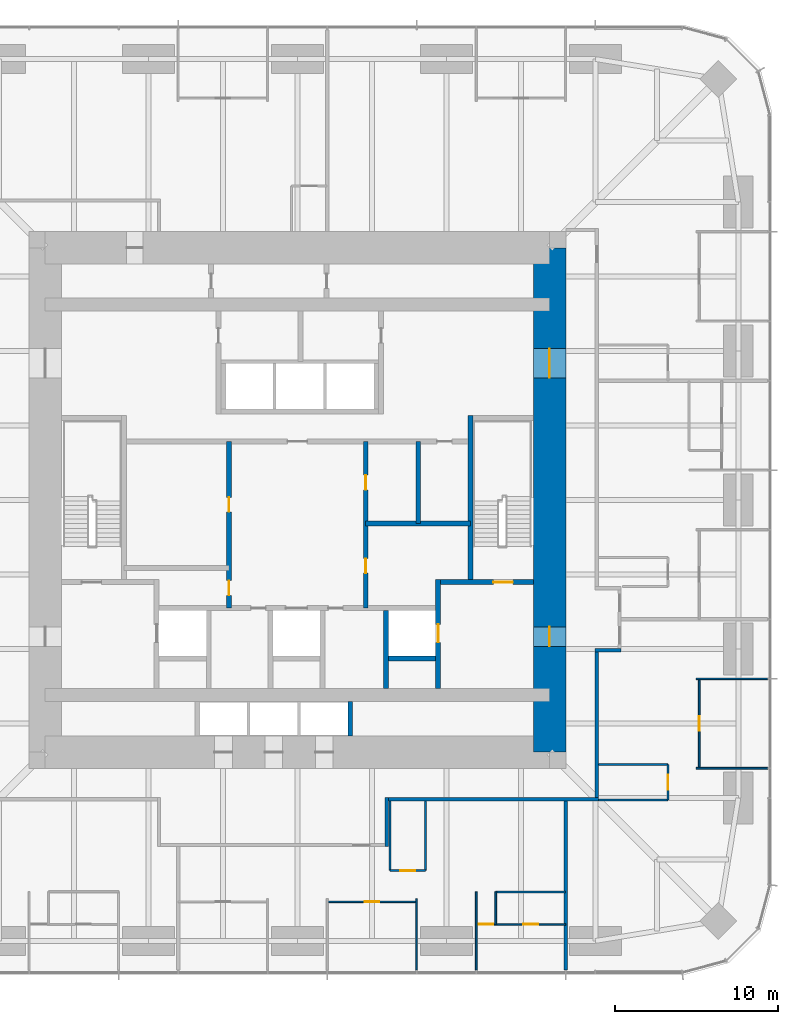
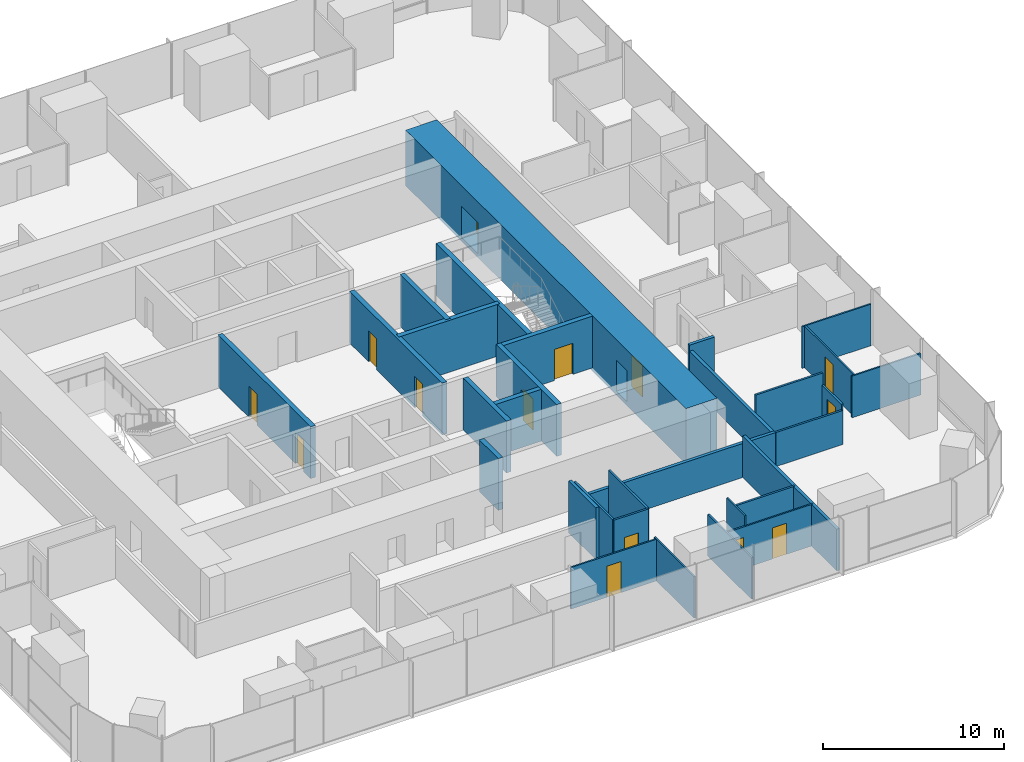
# One storey, part 10 of 13: 31 walls, 14 doors, 14 openings.
"""IFC4 building model written with IfcOpenShell, lengths in metres."""

import ifcopenshell
import ifcopenshell.guid

model = None  # the IFC model being written
_history = None  # IfcOwnerHistory: only IFC2X3 demands one
_inside = {}  # id of a spatial element -> (the spatial element, [elements in it])
_under = {}  # id of a project, library or spatial element -> (it, [spatial elements below it])
_declared = {}  # id of a project -> (the project, [libraries it declares])
_typed = {}  # id of a type object -> (the type object, [elements of that type])
_made_of = {}  # id of a material, layer set ... -> (it, [elements and type objects made of it])


def new_model(schema):
    """Start an empty IFC model of exactly this schema.

    Asked for "IFC4X3", IfcOpenShell would pick the latest addendum, in which some entities
    have other attributes; the version numbers below select the first issue.
    IFC2X3 requires an IfcOwnerHistory on every rooted entity: one is made here for all.
    """
    global model, _history
    if schema == "IFC4X3":
        model = ifcopenshell.file(schema_version=(4, 3, 0, 0))
    else:
        model = ifcopenshell.file(schema=schema)
    _inside.clear()
    _under.clear()
    _declared.clear()
    _typed.clear()
    _made_of.clear()
    _history = None
    if model.schema == "IFC2X3":
        org = make("IfcOrganization", Name="unknown")
        user = make(
            "IfcPersonAndOrganization",
            ThePerson=make("IfcPerson", FamilyName="unknown"),
            TheOrganization=org,
        )
        app = make(
            "IfcApplication",
            ApplicationDeveloper=org,
            Version="unknown",
            ApplicationFullName="unknown",
            ApplicationIdentifier="unknown",
        )
        _history = make(
            "IfcOwnerHistory",
            OwningUser=user,
            OwningApplication=app,
            ChangeAction="ADDED",
            CreationDate=0,
        )
    return model


def make(cls, **values):
    """One entity of the class cls with the attributes given. An attribute that is None is left unset."""
    return model.create_entity(
        cls, **{name: value for name, value in values.items() if value is not None}
    )


def rooted(cls, **values):
    """An entity with a GlobalId (a new one), such as an element, a storey or a relation."""
    return make(cls, GlobalId=ifcopenshell.guid.new(), OwnerHistory=_history, **values)


def si_unit(unit_type, name, prefix=None):
    """IfcSIUnit, for example si_unit("LENGTHUNIT", "METRE", prefix="MILLI")."""
    return make("IfcSIUnit", UnitType=unit_type, Prefix=prefix, Name=name)


def assignment(units):
    """IfcUnitAssignment: the units of a project."""
    return None if units is None else make("IfcUnitAssignment", Units=units)


def point(xyz):
    """IfcCartesianPoint."""
    return None if xyz is None else make("IfcCartesianPoint", Coordinates=xyz)


def direction(xyz):
    """IfcDirection."""
    return None if xyz is None else make("IfcDirection", DirectionRatios=xyz)


def frame(location, z_axis=None, x_axis=None):
    """IfcAxis2Placement3D, a coordinate frame: its origin and axes. An axis left out is left unset."""
    return make(
        "IfcAxis2Placement3D",
        Location=point(location),
        Axis=direction(z_axis),
        RefDirection=direction(x_axis),
    )


def frame_2d(location, x_axis=None):
    """IfcAxis2Placement2D, a coordinate frame in the plane: its origin and x axis."""
    return make(
        "IfcAxis2Placement2D", Location=point(location), RefDirection=direction(x_axis)
    )


def origin():
    """The frame at (0, 0, 0) with its axes left unset."""
    return frame((0.0, 0.0, 0.0))


def place(relative_to, where):
    """IfcLocalPlacement: puts the frame where relative to a parent placement (None: the world)."""
    return make(
        "IfcLocalPlacement", PlacementRelTo=relative_to, RelativePlacement=where
    )


def context(
    kind, dimensions, precision=None, world=None, true_north=None, identifier=None
):
    """IfcGeometricRepresentationContext, for example the 3D "Model" context."""
    return make(
        "IfcGeometricRepresentationContext",
        ContextIdentifier=identifier,
        ContextType=kind,
        CoordinateSpaceDimension=dimensions,
        Precision=precision,
        WorldCoordinateSystem=world,
        TrueNorth=true_north,
    )


def subcontext(parent, identifier, kind, view, scale=None):
    """IfcGeometricRepresentationSubContext, for example "Body" below "Model"."""
    return make(
        "IfcGeometricRepresentationSubContext",
        ContextIdentifier=identifier,
        ContextType=kind,
        ParentContext=parent,
        TargetScale=scale,
        TargetView=view,
    )


def project(units=None, contexts=None):
    """IfcProject with its units and contexts."""
    return rooted(
        "IfcProject",
        Name="project",
        RepresentationContexts=contexts,
        UnitsInContext=assignment(units),
    )


def spatial(cls, under=None, at=None, **own):
    """A site, building, storey or space (cls), placed at a placement, below another one or the project."""
    s = rooted(cls, ObjectPlacement=at, **own)
    if under is not None:
        _under.setdefault(under.id(), (under, []))[1].append(s)
    return s


def profile(cls, at=None, kind="AREA", **sizes):
    """A parametric profile (cls). Its sizes go by their IFC names, for example OverallWidth=200.0."""
    return make(cls, ProfileType=kind, Position=at, **sizes)


def rectangle(**sizes):
    """IfcRectangleProfileDef."""
    return profile("IfcRectangleProfileDef", **sizes)


def extrude(swept, where, along, depth):
    """IfcExtrudedAreaSolid: the profile swept, set in the frame where, extruded along a direction by depth."""
    return make(
        "IfcExtrudedAreaSolid",
        SweptArea=swept,
        Position=where,
        ExtrudedDirection=direction(along),
        Depth=depth,
    )


def shape(context_of_items, identifier, shape_type, items):
    """IfcShapeRepresentation: the items that make up one representation, for example the "Body"."""
    return make(
        "IfcShapeRepresentation",
        ContextOfItems=context_of_items,
        RepresentationIdentifier=identifier,
        RepresentationType=shape_type,
        Items=items,
    )


def material(Name=None, Category=None):
    """IfcMaterial."""
    return make("IfcMaterial", Name=Name, Category=Category)


def layer(
    of_material, thickness, ventilated=None, Name=None, Category=None, Priority=None
):
    """IfcMaterialLayer: one layer of a wall or slab, of a material (None: an air gap)."""
    return make(
        "IfcMaterialLayer",
        Material=of_material,
        LayerThickness=thickness,
        IsVentilated=ventilated,
        Name=Name,
        Category=Category,
        Priority=Priority,
    )


def layer_set(layers, Name=None):
    """IfcMaterialLayerSet."""
    return make("IfcMaterialLayerSet", MaterialLayers=layers, LayerSetName=Name)


def made_of(thing, what):
    """Note that an element or type object is made of a material, layer set ...; save() writes the relation."""
    if what is not None:
        _made_of.setdefault(what.id(), (what, []))[1].append(thing)
    return thing


def type_object(cls, material=None, **own):
    """A type object (cls), such as IfcWallType, which elements share."""
    return made_of(rooted(cls, **own), material)


def element(
    cls,
    number,
    at=None,
    inside=None,
    cuts=None,
    type_object=None,
    material=None,
    context=None,
    identifier="Body",
    shape_type=None,
    held_by="IfcProductDefinitionShape",
    body=None,
    shapes=None,
    **own,
):
    """One element of the class cls, such as IfcWall. Its Tag is "e" and its number.

    at: its placement. inside: the storey or other place that contains it. cuts: it is an
    opening in that element (IfcRelVoidsElement). A single representation is given by context,
    identifier, shape_type and body (its items); several are given by shapes. held_by: the class
    of the entity that holds the representations. save() writes the other relations.
    """
    e = rooted(cls, Tag="e%d" % number, ObjectPlacement=at, **own)
    if body is not None:
        shapes = [shape(context, identifier, shape_type, body)]
    if shapes is not None:
        e.Representation = make(held_by, Representations=shapes)
    if inside is not None:
        _inside.setdefault(inside.id(), (inside, []))[1].append(e)
    if cuts is not None:
        rooted(
            "IfcRelVoidsElement", RelatingBuildingElement=cuts, RelatedOpeningElement=e
        )
    if type_object is not None:
        _typed.setdefault(type_object.id(), (type_object, []))[1].append(e)
    return made_of(e, material)


def fill(opening, filler):
    """IfcRelFillsElement: the door or window that sits in an opening."""
    return rooted(
        "IfcRelFillsElement",
        RelatingOpeningElement=opening,
        RelatedBuildingElement=filler,
    )


def aggregate(whole, parts):
    """IfcRelAggregates: a whole, such as a stair, and the parts it consists of."""
    return rooted("IfcRelAggregates", RelatingObject=whole, RelatedObjects=parts)


def save(model, path):
    """Write the relations noted so far, then the file.

    IfcRelAggregates (storeys below a building ...), IfcRelContainedInSpatialStructure (elements
    in a storey), IfcRelDefinesByType, IfcRelAssociatesMaterial and IfcRelDeclares: one each for
    every whole, place, type object, material and project.
    """
    for whole, parts in _under.values():
        aggregate(whole, parts)
    for where, things in _inside.values():
        rooted(
            "IfcRelContainedInSpatialStructure",
            RelatedElements=things,
            RelatingStructure=where,
        )
    for kind, things in _typed.values():
        rooted("IfcRelDefinesByType", RelatedObjects=things, RelatingType=kind)
    for what, things in _made_of.values():
        rooted("IfcRelAssociatesMaterial", RelatedObjects=things, RelatingMaterial=what)
    for by, libraries in _declared.values():
        rooted("IfcRelDeclares", RelatingContext=by, RelatedDefinitions=libraries)
    model.write(path)


model = new_model("IFC4")

# Units and contexts
model_context = context("Model", 3, precision=1e-05, world=origin(), true_north=direction((0.0, 1.0)))
body_context = subcontext(model_context, "Body", "Model", "MODEL_VIEW")
ifc_project = project(units=[si_unit("LENGTHUNIT", "METRE"), si_unit("AREAUNIT", "SQUARE_METRE"), si_unit("VOLUMEUNIT", "CUBIC_METRE"), si_unit("PLANEANGLEUNIT", "RADIAN"), si_unit("MASSUNIT", "GRAM", prefix="KILO")], contexts=[model_context])

# Site, building, storey
site_placement = place(None, origin())
site = spatial("IfcSite", under=ifc_project, at=site_placement, CompositionType="ELEMENT")
building_placement = place(site_placement, origin())
building = spatial("IfcBuilding", under=site, at=building_placement, Name="Khuree Lantern Residences", CompositionType="ELEMENT")
storey_placement = place(building_placement, frame((0.0, 0.0, 122.25)))
storey = spatial("IfcBuildingStorey", under=building, at=storey_placement, Name="L30", CompositionType="ELEMENT", Elevation=122.25)

# Wall
ifc_material_1 = material(Name="Moisture-resistant gypsum board on steel studs", Category="steel")
ifc_layer_1 = layer(ifc_material_1, 0.125)
ifc_layer_set_1 = layer_set([ifc_layer_1], Name="BATHROOM WALL BTW125")
wall_type_1 = type_object("IfcWallType", Name="BATHROOM WALL BTW125", PredefinedType="PARTITIONING", material=ifc_layer_set_1)
wall_1_placement = place(storey_placement, frame((12.19189453125, -24.079833984375, 0.0), z_axis=(0.0, 0.0, 1.0), x_axis=(1.0, 0.0, 0.0)))
element("IfcWall", 1, at=wall_1_placement, inside=storey, type_object=wall_type_1, Name="L30 BATHROOM WALL 06", PredefinedType="PARTITIONING", context=body_context, shape_type="SweptSolid", body=[
    extrude(rectangle(XDim=4.296142578125, YDim=0.125, at=frame_2d((2.14794921875, 0.0))), origin(), (0.0, 0.0, 1.0), 2.81005859375),
])

# Wall, opening, door
wall_2_placement = place(storey_placement, frame((5.68359375, -22.77978515625, 0.0), z_axis=(0.0, 0.0, 1.0), x_axis=(1.0, 0.0, 0.0)))
wall_2 = element("IfcWall", 2, at=wall_2_placement, inside=storey, type_object=wall_type_1, Name="L30 BATHROOM WALL 06", PredefinedType="PARTITIONING", context=body_context, shape_type="SweptSolid", body=[
    extrude(rectangle(XDim=2.199951171875, YDim=0.125, at=frame_2d((1.10009765625, 0.0))), origin(), (0.0, 0.0, 1.0), 3.5),
])
opening_1_placement = place(wall_2_placement, frame((0.64990234375, 0.0, 0.0)))
opening_1 = element("IfcOpeningElement", 3, at=opening_1_placement, cuts=wall_2, Name="Opening 30-052", PredefinedType="OPENING", context=body_context, shape_type="SweptSolid", body=[
    extrude(rectangle(XDim=0.89990234375, YDim=2.10009765625, at=frame_2d((0.449951171875, 1.050048828125))), frame((0.0, 0.072509765625, 0.0), z_axis=(0.0, -1.0, 0.0), x_axis=(1.0, 0.0, 0.0)), (0.0, 0.0, 1.0), 0.14501953125),
])
ifc_material_2 = material(Name="Timber door leaf in hardwood frame", Category="wood")
door_type_1 = type_object("IfcDoorType", Name="BATHROOM DOOR 900X2100", OperationType="SINGLE_SWING_LEFT", PredefinedType="DOOR", material=ifc_material_2)
door_1_placement = place(opening_1_placement, origin())
door_1 = element("IfcDoor", 4, at=door_1_placement, inside=storey, type_object=door_type_1, Name="Bathroom door 30-052", OperationType="SINGLE_SWING_LEFT", OverallHeight=2.10009765625, OverallWidth=0.89990234375, PredefinedType="DOOR", context=body_context, shape_type="SweptSolid", body=[
    extrude(rectangle(XDim=0.89990234375, YDim=2.10009765625, at=frame_2d((0.449951171875, 1.050048828125))), frame((0.0, 0.02490234375, 0.0), z_axis=(0.0, -1.0, 0.0), x_axis=(1.0, 0.0, 0.0)), (0.0, 0.0, 1.0), 0.050048828125),
])
fill(opening_1, door_1)

# Walls
for number, where, z_axis, x_axis, name in (
    (5, (5.68359375, -18.5, 0.0), (0.0, 0.0, 1.0), (0.0, -1.0, 0.0), "L30 BATHROOM WALL 06"),
    (6, (7.883544921875, -18.5, 0.0), (0.0, 0.0, 1.0), (0.0, -1.0, 0.0), "L30 BATHROOM WALL 06"),
):
    element("IfcWall", number, at=place(storey_placement, frame(where, z_axis=z_axis, x_axis=x_axis)), inside=storey, type_object=wall_type_1, Name=name, PredefinedType="PARTITIONING", context=body_context, shape_type="SweptSolid", body=[
        extrude(rectangle(XDim=4.27978515625, YDim=0.125, at=frame_2d((2.139892578125, 0.0))), origin(), (0.0, 0.0, 1.0), 3.5),
    ])

# Wall, opening, door
wall_3_placement = place(storey_placement, frame((22.77978515625, -18.449951171875, 0.0), z_axis=(0.0, 0.0, 1.0), x_axis=(0.0, 1.0, 0.0)))
wall_3 = element("IfcWall", 7, at=wall_3_placement, inside=storey, type_object=wall_type_1, Name="L30 BATHROOM WALL 07", PredefinedType="PARTITIONING", context=body_context, shape_type="SweptSolid", body=[
    extrude(rectangle(XDim=2.199951171875, YDim=0.125, at=frame_2d((1.10009765625, 0.0))), origin(), (0.0, 0.0, 1.0), 2.699951171875),
])
opening_2_placement = place(wall_3_placement, frame((0.64990234375, 0.0, 0.0)))
opening_2 = element("IfcOpeningElement", 8, at=opening_2_placement, cuts=wall_3, Name="Opening 30-055", PredefinedType="OPENING", context=body_context, shape_type="SweptSolid", body=[
    extrude(rectangle(XDim=0.89990234375, YDim=2.10009765625, at=frame_2d((0.449951171875, 1.050048828125))), frame((0.0, 0.072509765625, 0.0), z_axis=(0.0, -1.0, 0.0), x_axis=(1.0, 0.0, 0.0)), (0.0, 0.0, 1.0), 0.14501953125),
])
door_2_placement = place(opening_2_placement, origin())
door_2 = element("IfcDoor", 9, at=door_2_placement, inside=storey, type_object=door_type_1, Name="Bathroom door 30-055", OperationType="SINGLE_SWING_LEFT", OverallHeight=2.10009765625, OverallWidth=0.89990234375, PredefinedType="DOOR", context=body_context, shape_type="SweptSolid", body=[
    extrude(rectangle(XDim=0.89990234375, YDim=2.10009765625, at=frame_2d((0.449951171875, 1.050048828125))), frame((0.0, 0.02490234375, 0.0), z_axis=(0.0, -1.0, 0.0), x_axis=(1.0, 0.0, 0.0)), (0.0, 0.0, 1.0), 0.050048828125),
])
fill(opening_2, door_2)

# Walls
wall_4_placement = place(storey_placement, frame((18.5, -18.449951171875, 0.0), z_axis=(0.0, 0.0, 1.0), x_axis=(1.0, 0.0, 0.0)))
element("IfcWall", 10, at=wall_4_placement, inside=storey, type_object=wall_type_1, Name="L30 BATHROOM WALL 07", PredefinedType="PARTITIONING", context=body_context, shape_type="SweptSolid", body=[
    extrude(rectangle(XDim=4.27978515625, YDim=0.125, at=frame_2d((2.139892578125, 0.0))), origin(), (0.0, 0.0, 1.0), 2.300048828125),
])
wall_5_placement = place(storey_placement, frame((18.5, -16.25, 0.0), z_axis=(0.0, 0.0, 1.0), x_axis=(1.0, 0.0, 0.0)))
element("IfcWall", 11, at=wall_5_placement, inside=storey, type_object=wall_type_1, Name="L30 BATHROOM WALL 07", PredefinedType="PARTITIONING", context=body_context, shape_type="SweptSolid", body=[
    extrude(rectangle(XDim=4.27978515625, YDim=0.125, at=frame_2d((2.139892578125, 0.0))), origin(), (0.0, 0.0, 1.0), 3.5),
])

# Wall, opening, door
ifc_material_3 = material(Name="Dense concrete blockwork", Category="masonry")
ifc_layer_2 = layer(ifc_material_3, 0.300048828125)
ifc_layer_set_2 = layer_set([ifc_layer_2], Name="CORE PARTITION WALL CPW300 EI 120")
wall_type_2 = type_object("IfcWallType", Name="CORE PARTITION WALL CPW300 EI 120", PredefinedType="PARTITIONING", material=ifc_layer_set_2)
wall_6_placement = place(storey_placement, frame((8.64990234375, -11.60009765625, 0.0), z_axis=(0.0, 0.0, 1.0), x_axis=(0.0, 1.0, 0.0)))
wall_6 = element("IfcWall", 12, at=wall_6_placement, inside=storey, type_object=wall_type_2, Name="L30 CORE WALL FL2E", PredefinedType="PARTITIONING", context=body_context, shape_type="SweptSolid", body=[
    extrude(rectangle(XDim=6.7001953125, YDim=0.300048828125, at=frame_2d((3.35009765625, 0.0))), origin(), (0.0, 0.0, 1.0), 3.5),
])
opening_3_placement = place(wall_6_placement, frame((2.85009765625, 0.0, 0.0)))
opening_3 = element("IfcOpeningElement", 13, at=opening_3_placement, cuts=wall_6, Name="Opening 30-008", PredefinedType="OPENING", context=body_context, shape_type="SweptSolid", body=[
    extrude(rectangle(XDim=1.10009765625, YDim=2.10009765625, at=frame_2d((0.550048828125, 1.050048828125))), frame((0.0, 0.16015625, 0.0), z_axis=(0.0, -1.0, 0.0), x_axis=(1.0, 0.0, 0.0)), (0.0, 0.0, 1.0), 0.320068359375),
])
ifc_material_4 = material(Name="Stainless steel lift landing door", Category="steel")
door_type_2 = type_object("IfcDoorType", Name="LIFT LANDING DOOR 1100X2100 E 120", OperationType="DOUBLE_DOOR_SLIDING", PredefinedType="DOOR", material=ifc_material_4)
door_3_placement = place(opening_3_placement, origin())
door_3 = element("IfcDoor", 14, at=door_3_placement, inside=storey, type_object=door_type_2, Name="Landing door FL2 30-008", OperationType="DOUBLE_DOOR_SLIDING", OverallHeight=2.10009765625, OverallWidth=1.10009765625, PredefinedType="DOOR", context=body_context, shape_type="SweptSolid", body=[
    extrude(rectangle(XDim=1.10009765625, YDim=2.10009765625, at=frame_2d((0.550048828125, 1.050048828125))), frame((0.0, 0.02490234375, 0.0), z_axis=(0.0, -1.0, 0.0), x_axis=(1.0, 0.0, 0.0)), (0.0, 0.0, 1.0), 0.050048828125),
])
fill(opening_3, door_3)

# Walls
wall_7_placement = place(storey_placement, frame((5.449951171875, -11.60009765625, 0.0), z_axis=(0.0, 0.0, 1.0), x_axis=(0.0, 1.0, 0.0)))
element("IfcWall", 15, at=wall_7_placement, inside=storey, type_object=wall_type_2, Name="L30 CORE WALL FL2W", PredefinedType="PARTITIONING", context=body_context, shape_type="SweptSolid", body=[
    extrude(rectangle(XDim=4.800048828125, YDim=0.300048828125, at=frame_2d((2.39990234375, 0.0))), origin(), (0.0, 0.0, 1.0), 3.5),
])
wall_8_placement = place(storey_placement, frame((5.60009765625, -9.75, 0.0), z_axis=(0.0, 0.0, 1.0), x_axis=(1.0, 0.0, 0.0)))
element("IfcWall", 16, at=wall_8_placement, inside=storey, type_object=wall_type_2, Name="L30 CORE WALL FL2S", PredefinedType="PARTITIONING", context=body_context, shape_type="SweptSolid", body=[
    extrude(rectangle(XDim=2.89990234375, YDim=0.300048828125, at=frame_2d((1.449951171875, 0.0))), origin(), (0.0, 0.0, 1.0), 3.5),
])
wall_9_placement = place(storey_placement, frame((3.25, -14.5, 0.0), z_axis=(0.0, 0.0, 1.0), x_axis=(0.0, 1.0, 0.0)))
element("IfcWall", 17, at=wall_9_placement, inside=storey, type_object=wall_type_2, Name="L30 CORE WALL PME", PredefinedType="PARTITIONING", context=body_context, shape_type="SweptSolid", body=[
    extrude(rectangle(XDim=2.10009765625, YDim=0.300048828125, at=frame_2d((1.050048828125, 0.0))), origin(), (0.0, 0.0, 1.0), 3.5),
])

# Wall, openings, doors
wall_10_placement = place(storey_placement, frame((-4.199951171875, -6.64990234375, 0.0), z_axis=(0.0, 0.0, 1.0), x_axis=(0.0, 1.0, 0.0)))
wall_10 = element("IfcWall", 18, at=wall_10_placement, inside=storey, type_object=wall_type_2, Name="L30 CORE WALL SVW", PredefinedType="PARTITIONING", context=body_context, shape_type="SweptSolid", body=[
    extrude(rectangle(XDim=10.25, YDim=0.300048828125, at=frame_2d((5.125, 0.0))), origin(), (0.0, 0.0, 1.0), 3.5),
])
opening_4_placement = place(wall_10_placement, frame((0.787109375, 0.0, 0.0)))
opening_4 = element("IfcOpeningElement", 19, at=opening_4_placement, cuts=wall_10, Name="Opening 30-016", PredefinedType="OPENING", context=body_context, shape_type="SweptSolid", body=[
    extrude(rectangle(XDim=0.89990234375, YDim=2.10009765625, at=frame_2d((0.449951171875, 1.050048828125))), frame((0.0, 0.16015625, 0.0), z_axis=(0.0, -1.0, 0.0), x_axis=(1.0, 0.0, 0.0)), (0.0, 0.0, 1.0), 0.320068359375),
])
opening_5_placement = place(wall_10_placement, frame((5.912109375, 0.0, 0.0)))
opening_5 = element("IfcOpeningElement", 20, at=opening_5_placement, cuts=wall_10, Name="Opening 30-017", PredefinedType="OPENING", context=body_context, shape_type="SweptSolid", body=[
    extrude(rectangle(XDim=0.89990234375, YDim=2.10009765625, at=frame_2d((0.449951171875, 1.050048828125))), frame((0.0, 0.16015625, 0.0), z_axis=(0.0, -1.0, 0.0), x_axis=(1.0, 0.0, 0.0)), (0.0, 0.0, 1.0), 0.320068359375),
])
door_type_3 = type_object("IfcDoorType", Name="DOOR 900X2100", OperationType="SINGLE_SWING_LEFT", PredefinedType="DOOR", material=ifc_material_2)
door_4_placement = place(opening_4_placement, origin())
door_4 = element("IfcDoor", 21, at=door_4_placement, inside=storey, type_object=door_type_3, Name="Building management room door 30-016", OperationType="SINGLE_SWING_LEFT", OverallHeight=2.10009765625, OverallWidth=0.89990234375, PredefinedType="DOOR", context=body_context, shape_type="SweptSolid", body=[
    extrude(rectangle(XDim=0.89990234375, YDim=2.10009765625, at=frame_2d((0.449951171875, 1.050048828125))), frame((0.0, 0.02490234375, 0.0), z_axis=(0.0, -1.0, 0.0), x_axis=(1.0, 0.0, 0.0)), (0.0, 0.0, 1.0), 0.050048828125),
])
fill(opening_4, door_4)
door_5_placement = place(opening_5_placement, origin())
door_5 = element("IfcDoor", 22, at=door_5_placement, inside=storey, type_object=door_type_3, Name="Residents' store door 30-017", OperationType="SINGLE_SWING_LEFT", OverallHeight=2.10009765625, OverallWidth=0.89990234375, PredefinedType="DOOR", context=body_context, shape_type="SweptSolid", body=[
    extrude(rectangle(XDim=0.89990234375, YDim=2.10009765625, at=frame_2d((0.449951171875, 1.050048828125))), frame((0.0, 0.02490234375, 0.0), z_axis=(0.0, -1.0, 0.0), x_axis=(1.0, 0.0, 0.0)), (0.0, 0.0, 1.0), 0.050048828125),
])
fill(opening_5, door_5)

wall_11_placement = place(storey_placement, frame((4.199951171875, -6.64990234375, 0.0), z_axis=(0.0, 0.0, 1.0), x_axis=(0.0, 1.0, 0.0)))
wall_11 = element("IfcWall", 23, at=wall_11_placement, inside=storey, type_object=wall_type_2, Name="L30 CORE WALL SVE", PredefinedType="PARTITIONING", context=body_context, shape_type="SweptSolid", body=[
    extrude(rectangle(XDim=10.25, YDim=0.300048828125, at=frame_2d((5.125, 0.0))), origin(), (0.0, 0.0, 1.0), 3.5),
])
opening_6_placement = place(wall_11_placement, frame((2.14990234375, 0.0, 0.0)))
opening_6 = element("IfcOpeningElement", 24, at=opening_6_placement, cuts=wall_11, Name="Opening 30-018", PredefinedType="OPENING", context=body_context, shape_type="SweptSolid", body=[
    extrude(rectangle(XDim=0.89990234375, YDim=2.10009765625, at=frame_2d((0.449951171875, 1.050048828125))), frame((0.0, 0.16015625, 0.0), z_axis=(0.0, -1.0, 0.0), x_axis=(1.0, 0.0, 0.0)), (0.0, 0.0, 1.0), 0.320068359375),
])
opening_7_placement = place(wall_11_placement, frame((7.27490234375, 0.0, 0.0)))
opening_7 = element("IfcOpeningElement", 25, at=opening_7_placement, cuts=wall_11, Name="Opening 30-019", PredefinedType="OPENING", context=body_context, shape_type="SweptSolid", body=[
    extrude(rectangle(XDim=0.89990234375, YDim=2.10009765625, at=frame_2d((0.449951171875, 1.050048828125))), frame((0.0, 0.16015625, 0.0), z_axis=(0.0, -1.0, 0.0), x_axis=(1.0, 0.0, 0.0)), (0.0, 0.0, 1.0), 0.320068359375),
])
door_6_placement = place(opening_6_placement, origin())
door_6 = element("IfcDoor", 26, at=door_6_placement, inside=storey, type_object=door_type_3, Name="Residents' store door 30-018", OperationType="SINGLE_SWING_LEFT", OverallHeight=2.10009765625, OverallWidth=0.89990234375, PredefinedType="DOOR", context=body_context, shape_type="SweptSolid", body=[
    extrude(rectangle(XDim=0.89990234375, YDim=2.10009765625, at=frame_2d((0.449951171875, 1.050048828125))), frame((0.0, 0.02490234375, 0.0), z_axis=(0.0, -1.0, 0.0), x_axis=(1.0, 0.0, 0.0)), (0.0, 0.0, 1.0), 0.050048828125),
])
fill(opening_6, door_6)
door_type_4 = type_object("IfcDoorType", Name="DOOR 900X2100 RIGHT HAND", OperationType="SINGLE_SWING_RIGHT", PredefinedType="DOOR", material=ifc_material_2)
door_7_placement = place(opening_7_placement, origin())
door_7 = element("IfcDoor", 27, at=door_7_placement, inside=storey, type_object=door_type_4, Name="Housekeeping store door 30-019", OperationType="SINGLE_SWING_RIGHT", OverallHeight=2.10009765625, OverallWidth=0.89990234375, PredefinedType="DOOR", context=body_context, shape_type="SweptSolid", body=[
    extrude(rectangle(XDim=0.89990234375, YDim=2.10009765625, at=frame_2d((0.449951171875, 1.050048828125))), frame((0.0, 0.02490234375, 0.0), z_axis=(0.0, -1.0, 0.0), x_axis=(1.0, 0.0, 0.0)), (0.0, 0.0, 1.0), 0.050048828125),
])
fill(opening_7, door_7)

# Walls
wall_12_placement = place(storey_placement, frame((10.64990234375, -1.449951171875, 0.0), z_axis=(0.0, 0.0, 1.0), x_axis=(-1.0, 0.0, 0.0)))
element("IfcWall", 28, at=wall_12_placement, inside=storey, type_object=wall_type_2, Name="L30 CORE WALL EX", PredefinedType="PARTITIONING", context=body_context, shape_type="SweptSolid", body=[
    extrude(rectangle(XDim=6.449951171875, YDim=0.300048828125, at=frame_2d((3.22509765625, 0.0))), origin(), (0.0, 0.0, 1.0), 3.5),
])
wall_13_placement = place(storey_placement, frame((7.425048828125, -1.449951171875, 0.0), z_axis=(0.0, 0.0, 1.0), x_axis=(0.0, 1.0, 0.0)))
element("IfcWall", 29, at=wall_13_placement, inside=storey, type_object=wall_type_2, Name="L30 CORE WALL EV", PredefinedType="PARTITIONING", context=body_context, shape_type="SweptSolid", body=[
    extrude(rectangle(XDim=5.050048828125, YDim=0.300048828125, at=frame_2d((2.52490234375, 0.0))), origin(), (0.0, 0.0, 1.0), 3.5),
])
ifc_material_5 = material(Name="Gypsum board on steel studs", Category="steel")
ifc_layer_3 = layer(ifc_material_5, 0.199951171875)
ifc_layer_set_3 = layer_set([ifc_layer_3], Name="CORRIDOR WALL CRW200 EI 60")
wall_type_3 = type_object("IfcWallType", Name="CORRIDOR WALL CRW200 EI 60", PredefinedType="PARTITIONING", material=ifc_layer_set_3)
wall_14_placement = place(storey_placement, frame((18.39990234375, -18.300048828125, 0.0), z_axis=(0.0, 0.0, 1.0), x_axis=(0.0, 1.0, 0.0)))
element("IfcWall", 30, at=wall_14_placement, inside=storey, type_object=wall_type_3, Name="L30 CORRIDOR WALL EAST 1", PredefinedType="PARTITIONING", context=body_context, shape_type="SweptSolid", body=[
    extrude(rectangle(XDim=8.97216796875, YDim=0.199951171875, at=frame_2d((4.486083984375, 0.0))), origin(), (0.0, 0.0, 1.0), 2.300048828125),
])
wall_15_placement = place(storey_placement, frame((18.300048828125, -9.22802734375, 0.0), z_axis=(0.0, 0.0, 1.0), x_axis=(1.0, 0.0, 0.0)))
element("IfcWall", 31, at=wall_15_placement, inside=storey, type_object=wall_type_3, Name="L30 CORRIDOR ALCOVE WALL EAST", PredefinedType="PARTITIONING", context=body_context, shape_type="SweptSolid", body=[
    extrude(rectangle(XDim=1.599853515625, YDim=0.199951171875, at=frame_2d((0.7998046875, 0.0))), origin(), (0.0, 0.0, 1.0), 2.699951171875),
])
wall_16_placement = place(storey_placement, frame((18.5, -18.39990234375, 0.0), z_axis=(0.0, 0.0, 1.0), x_axis=(-1.0, 0.0, 0.0)))
element("IfcWall", 32, at=wall_16_placement, inside=storey, type_object=wall_type_3, Name="L30 CORRIDOR WALL SOUTH 1", PredefinedType="PARTITIONING", context=body_context, shape_type="SweptSolid", body=[
    extrude(rectangle(XDim=12.89990234375, YDim=0.199951171875, at=frame_2d((6.449951171875, 0.0))), origin(), (0.0, 0.0, 1.0), 2.300048828125),
])
wall_17_placement = place(storey_placement, frame((5.5, -18.300048828125, 0.0), z_axis=(0.0, 0.0, 1.0), x_axis=(0.0, -1.0, 0.0)))
element("IfcWall", 33, at=wall_17_placement, inside=storey, type_object=wall_type_3, Name="L30 LIFT LOBBY WALL", PredefinedType="PARTITIONING", context=body_context, shape_type="SweptSolid", body=[
    extrude(rectangle(XDim=3.0, YDim=0.199951171875, at=frame_2d((1.5, 0.0))), origin(), (0.0, 0.0, 1.0), 3.5),
])

# Wall, openings, doors
ifc_material_6 = material(Name="Concrete C70/85", Category="concrete")
ifc_layer_4 = layer(ifc_material_6, 2.0)
ifc_layer_set_4 = layer_set([ifc_layer_4], Name="CW2000-C70 CORE WALL C70 2000")
wall_type_4 = type_object("IfcWallType", Name="CW2000-C70 CORE WALL C70 2000", PredefinedType="SHEAR", material=ifc_layer_set_4)
wall_18_placement = place(storey_placement, frame((15.5, -15.5, -0.25), z_axis=(0.0, 0.0, 1.0), x_axis=(0.0, 1.0, 0.0)))
wall_18 = element("IfcWall", 34, at=wall_18_placement, inside=storey, type_object=wall_type_4, Name="Core wall E", PredefinedType="SHEAR", context=body_context, shape_type="SweptSolid", body=[
    extrude(rectangle(XDim=31.0, YDim=2.0, at=frame_2d((15.5, 0.0))), origin(), (0.0, 0.0, 1.0), 3.75),
])
opening_8_placement = place(wall_18_placement, frame((6.5, 0.0, 0.25)))
opening_8 = element("IfcOpeningElement", 35, at=opening_8_placement, cuts=wall_18, Name="Opening 30-005", PredefinedType="OPENING", context=body_context, shape_type="SweptSolid", body=[
    extrude(rectangle(XDim=1.199951171875, YDim=2.10009765625, at=frame_2d((0.60009765625, 1.050048828125))), frame((0.0, 1.010009765625, 0.0), z_axis=(0.0, -1.0, 0.0), x_axis=(1.0, 0.0, 0.0)), (0.0, 0.0, 1.0), 2.02001953125),
])
opening_9_placement = place(wall_18_placement, frame((23.0, 0.0, 0.25)))
opening_9 = element("IfcOpeningElement", 36, at=opening_9_placement, cuts=wall_18, Name="Opening 30-006", PredefinedType="OPENING", context=body_context, shape_type="SweptSolid", body=[
    extrude(rectangle(XDim=1.800048828125, YDim=2.10009765625, at=frame_2d((0.89990234375, 1.050048828125))), frame((0.0, 1.010009765625, 0.0), z_axis=(0.0, -1.0, 0.0), x_axis=(1.0, 0.0, 0.0)), (0.0, 0.0, 1.0), 2.02001953125),
])
ifc_material_7 = material(Name="Steel door leaf in steel frame", Category="steel")
door_type_5 = type_object("IfcDoorType", Name="LOBBY DOOR 1200X2100 EI 120", OperationType="SINGLE_SWING_LEFT", PredefinedType="DOOR", material=ifc_material_7)
door_8_placement = place(opening_8_placement, origin())
door_8 = element("IfcDoor", 37, at=door_8_placement, inside=storey, type_object=door_type_5, Name="Firefighting lobby door 30-005", OperationType="SINGLE_SWING_LEFT", OverallHeight=2.10009765625, OverallWidth=1.199951171875, PredefinedType="DOOR", context=body_context, shape_type="SweptSolid", body=[
    extrude(rectangle(XDim=1.199951171875, YDim=2.10009765625, at=frame_2d((0.60009765625, 1.050048828125))), frame((0.0, 0.02490234375, 0.0), z_axis=(0.0, -1.0, 0.0), x_axis=(1.0, 0.0, 0.0)), (0.0, 0.0, 1.0), 0.050048828125),
])
fill(opening_8, door_8)
door_type_6 = type_object("IfcDoorType", Name="LOBBY DOUBLE DOOR 1800X2100 EI 60", OperationType="DOUBLE_DOOR_SINGLE_SWING", PredefinedType="DOOR", material=ifc_material_7)
door_9_placement = place(opening_9_placement, origin())
door_9 = element("IfcDoor", 38, at=door_9_placement, inside=storey, type_object=door_type_6, Name="Lift lobby door 30-006", OperationType="DOUBLE_DOOR_SINGLE_SWING", OverallHeight=2.10009765625, OverallWidth=1.800048828125, PredefinedType="DOOR", context=body_context, shape_type="SweptSolid", body=[
    extrude(rectangle(XDim=1.800048828125, YDim=2.10009765625, at=frame_2d((0.89990234375, 1.050048828125))), frame((0.0, 0.02490234375, 0.0), z_axis=(0.0, -1.0, 0.0), x_axis=(1.0, 0.0, 0.0)), (0.0, 0.0, 1.0), 0.050048828125),
])
fill(opening_9, door_9)

# Walls
ifc_layer_5 = layer(ifc_material_5, 0.199951171875)
ifc_layer_set_5 = layer_set([ifc_layer_5], Name="DEMISING WALL DMW200 EI 90")
wall_type_5 = type_object("IfcWallType", Name="DEMISING WALL DMW200 EI 90", PredefinedType="PARTITIONING", material=ifc_layer_set_5)
wall_19_placement = place(storey_placement, frame((16.488037109375, -18.5, 0.0), z_axis=(0.0, 0.0, 1.0), x_axis=(0.0, -1.0, 0.0)))
element("IfcWall", 39, at=wall_19_placement, inside=storey, type_object=wall_type_5, Name="L30 DEMISING WALL 07", PredefinedType="PARTITIONING", context=body_context, shape_type="SweptSolid", body=[
    extrude(rectangle(XDim=10.39990234375, YDim=0.199951171875, at=frame_2d((5.199951171875, 0.0))), origin(), (0.0, 0.0, 1.0), 2.81005859375),
])
ifc_layer_6 = layer(ifc_material_5, 0.10009765625)
ifc_layer_set_6 = layer_set([ifc_layer_6], Name="PARTITION PT100")
wall_type_6 = type_object("IfcWallType", Name="PARTITION PT100", PredefinedType="PARTITIONING", material=ifc_layer_set_6)
wall_20_placement = place(storey_placement, frame((7.327880859375, -24.5, 0.0), z_axis=(0.0, 0.0, 1.0), x_axis=(0.0, -1.0, 0.0)))
element("IfcWall", 40, at=wall_20_placement, inside=storey, type_object=wall_type_6, Name="L30 PARTITION 06", PredefinedType="PARTITIONING", context=body_context, shape_type="SweptSolid", body=[
    extrude(rectangle(XDim=4.39990234375, YDim=0.10009765625, at=frame_2d((2.199951171875, 0.0))), origin(), (0.0, 0.0, 1.0), 2.81005859375),
])
wall_21_placement = place(storey_placement, frame((10.991943359375, -24.079833984375, 0.0), z_axis=(0.0, 0.0, 1.0), x_axis=(0.0, -1.0, 0.0)))
element("IfcWall", 41, at=wall_21_placement, inside=storey, type_object=wall_type_6, Name="L30 PARTITION 06", PredefinedType="PARTITIONING", context=body_context, shape_type="SweptSolid", body=[
    extrude(rectangle(XDim=4.820068359375, YDim=0.10009765625, at=frame_2d((2.41015625, 0.0))), origin(), (0.0, 0.0, 1.0), 2.81005859375),
])
for number, where, z_axis, x_axis, name in (
    (42, (24.5, -16.488037109375, 0.0), (0.0, 0.0, 1.0), (1.0, 0.0, 0.0), "L30 PARTITION 07"),
    (43, (24.5, -10.991943359375, 0.0), (0.0, 0.0, 1.0), (1.0, 0.0, 0.0), "L30 PARTITION 07"),
):
    element("IfcWall", number, at=place(storey_placement, frame(where, z_axis=z_axis, x_axis=x_axis)), inside=storey, type_object=wall_type_6, Name=name, PredefinedType="PARTITIONING", context=body_context, shape_type="SweptSolid", body=[
        extrude(rectangle(XDim=4.39990234375, YDim=0.10009765625, at=frame_2d((2.199951171875, 0.0))), origin(), (0.0, 0.0, 1.0), 2.81005859375),
    ])

# Wall, opening, door
wall_22_placement = place(storey_placement, frame((1.83203125, -24.699951171875, 0.0), z_axis=(0.0, 0.0, 1.0), x_axis=(1.0, 0.0, 0.0)))
wall_22 = element("IfcWall", 44, at=wall_22_placement, inside=storey, type_object=wall_type_6, Name="L30 PARTITION 06", PredefinedType="PARTITIONING", context=body_context, shape_type="SweptSolid", body=[
    extrude(rectangle(XDim=5.495849609375, YDim=0.10009765625, at=frame_2d((2.748046875, 0.0))), origin(), (0.0, 0.0, 1.0), 2.81005859375),
])
opening_10_placement = place(wall_22_placement, frame((2.298095703125, 0.0, 0.0)))
opening_10 = element("IfcOpeningElement", 45, at=opening_10_placement, cuts=wall_22, Name="Opening 30-049", PredefinedType="OPENING", context=body_context, shape_type="SweptSolid", body=[
    extrude(rectangle(XDim=0.89990234375, YDim=2.10009765625, at=frame_2d((0.449951171875, 1.050048828125))), frame((0.0, 0.06005859375, 0.0), z_axis=(0.0, -1.0, 0.0), x_axis=(1.0, 0.0, 0.0)), (0.0, 0.0, 1.0), 0.1201171875),
])
door_type_7 = type_object("IfcDoorType", Name="BEDROOM DOOR 900X2100", OperationType="SINGLE_SWING_LEFT", PredefinedType="DOOR", material=ifc_material_2)
door_10_placement = place(opening_10_placement, origin())
door_10 = element("IfcDoor", 46, at=door_10_placement, inside=storey, type_object=door_type_7, Name="Bedroom door 30-049", OperationType="SINGLE_SWING_LEFT", OverallHeight=2.10009765625, OverallWidth=0.89990234375, PredefinedType="DOOR", context=body_context, shape_type="SweptSolid", body=[
    extrude(rectangle(XDim=0.89990234375, YDim=2.10009765625, at=frame_2d((0.449951171875, 1.050048828125))), frame((0.0, 0.02490234375, 0.0), z_axis=(0.0, -1.0, 0.0), x_axis=(1.0, 0.0, 0.0)), (0.0, 0.0, 1.0), 0.050048828125),
])
fill(opening_10, door_10)

# Wall, openings, doors
wall_23_placement = place(storey_placement, frame((10.991943359375, -26.079833984375, 0.0), z_axis=(0.0, 0.0, 1.0), x_axis=(1.0, 0.0, 0.0)))
wall_23 = element("IfcWall", 47, at=wall_23_placement, inside=storey, type_object=wall_type_6, Name="L30 PARTITION 06", PredefinedType="PARTITIONING", context=body_context, shape_type="SweptSolid", body=[
    extrude(rectangle(XDim=5.49609375, YDim=0.10009765625, at=frame_2d((2.748046875, 0.0))), origin(), (0.0, 0.0, 1.0), 2.81005859375),
])
opening_11_placement = place(wall_23_placement, frame((0.14990234375, 0.0, 0.0)))
opening_11 = element("IfcOpeningElement", 48, at=opening_11_placement, cuts=wall_23, Name="Opening 30-050", PredefinedType="OPENING", context=body_context, shape_type="SweptSolid", body=[
    extrude(rectangle(XDim=0.89990234375, YDim=2.10009765625, at=frame_2d((0.449951171875, 1.050048828125))), frame((0.0, 0.06005859375, 0.0), z_axis=(0.0, -1.0, 0.0), x_axis=(1.0, 0.0, 0.0)), (0.0, 0.0, 1.0), 0.1201171875),
])
opening_12_placement = place(wall_23_placement, frame((2.89794921875, 0.0, 0.0)))
opening_12 = element("IfcOpeningElement", 49, at=opening_12_placement, cuts=wall_23, Name="Opening 30-051", PredefinedType="OPENING", context=body_context, shape_type="SweptSolid", body=[
    extrude(rectangle(XDim=0.89990234375, YDim=2.10009765625, at=frame_2d((0.449951171875, 1.050048828125))), frame((0.0, 0.06005859375, 0.0), z_axis=(0.0, -1.0, 0.0), x_axis=(1.0, 0.0, 0.0)), (0.0, 0.0, 1.0), 0.1201171875),
])
door_type_8 = type_object("IfcDoorType", Name="BATHROOM DOOR 900X2100 RIGHT HAND", OperationType="SINGLE_SWING_RIGHT", PredefinedType="DOOR", material=ifc_material_2)
door_11_placement = place(opening_12_placement, origin())
door_11 = element("IfcDoor", 50, at=door_11_placement, inside=storey, type_object=door_type_8, Name="Bathroom door 30-051", OperationType="SINGLE_SWING_RIGHT", OverallHeight=2.10009765625, OverallWidth=0.89990234375, PredefinedType="DOOR", context=body_context, shape_type="SweptSolid", body=[
    extrude(rectangle(XDim=0.89990234375, YDim=2.10009765625, at=frame_2d((0.449951171875, 1.050048828125))), frame((0.0, 0.02490234375, 0.0), z_axis=(0.0, -1.0, 0.0), x_axis=(1.0, 0.0, 0.0)), (0.0, 0.0, 1.0), 0.050048828125),
])
fill(opening_12, door_11)
door_12_placement = place(opening_11_placement, origin())
door_12 = element("IfcDoor", 51, at=door_12_placement, inside=storey, type_object=door_type_7, Name="Bedroom door 30-050", OperationType="SINGLE_SWING_LEFT", OverallHeight=2.10009765625, OverallWidth=0.89990234375, PredefinedType="DOOR", context=body_context, shape_type="SweptSolid", body=[
    extrude(rectangle(XDim=0.89990234375, YDim=2.10009765625, at=frame_2d((0.449951171875, 1.050048828125))), frame((0.0, 0.02490234375, 0.0), z_axis=(0.0, -1.0, 0.0), x_axis=(1.0, 0.0, 0.0)), (0.0, 0.0, 1.0), 0.050048828125),
])
fill(opening_11, door_12)

# Wall
wall_24_placement = place(storey_placement, frame((12.19189453125, -24.079833984375, 0.0), z_axis=(0.0, 0.0, 1.0), x_axis=(0.0, -1.0, 0.0)))
element("IfcWall", 52, at=wall_24_placement, inside=storey, type_object=wall_type_6, Name="L30 PARTITION 06", PredefinedType="PARTITIONING", context=body_context, shape_type="SweptSolid", body=[
    extrude(rectangle(XDim=2.0, YDim=0.10009765625, at=frame_2d((1.0, 0.0))), origin(), (0.0, 0.0, 1.0), 3.5),
])

# Wall, opening, door
wall_25_placement = place(storey_placement, frame((24.699951171875, -16.488037109375, 0.0), z_axis=(0.0, 0.0, 1.0), x_axis=(0.0, 1.0, 0.0)))
wall_25 = element("IfcWall", 53, at=wall_25_placement, inside=storey, type_object=wall_type_6, Name="L30 PARTITION 07", PredefinedType="PARTITIONING", context=body_context, shape_type="SweptSolid", body=[
    extrude(rectangle(XDim=5.49609375, YDim=0.10009765625, at=frame_2d((2.748046875, 0.0))), origin(), (0.0, 0.0, 1.0), 2.81005859375),
])
opening_13_placement = place(wall_25_placement, frame((2.298095703125, 0.0, 0.0)))
opening_13 = element("IfcOpeningElement", 54, at=opening_13_placement, cuts=wall_25, Name="Opening 30-054", PredefinedType="OPENING", context=body_context, shape_type="SweptSolid", body=[
    extrude(rectangle(XDim=0.89990234375, YDim=2.10009765625, at=frame_2d((0.449951171875, 1.050048828125))), frame((0.0, 0.06005859375, 0.0), z_axis=(0.0, -1.0, 0.0), x_axis=(1.0, 0.0, 0.0)), (0.0, 0.0, 1.0), 0.1201171875),
])
door_13_placement = place(opening_13_placement, origin())
door_13 = element("IfcDoor", 55, at=door_13_placement, inside=storey, type_object=door_type_7, Name="Bedroom door 30-054", OperationType="SINGLE_SWING_LEFT", OverallHeight=2.10009765625, OverallWidth=0.89990234375, PredefinedType="DOOR", context=body_context, shape_type="SweptSolid", body=[
    extrude(rectangle(XDim=0.89990234375, YDim=2.10009765625, at=frame_2d((0.449951171875, 1.050048828125))), frame((0.0, 0.02490234375, 0.0), z_axis=(0.0, -1.0, 0.0), x_axis=(1.0, 0.0, 0.0)), (0.0, 0.0, 1.0), 0.050048828125),
])
fill(opening_13, door_13)

# Wall
ifc_material_8 = material(Name="Concrete C50/60", Category="concrete")
ifc_layer_7 = layer(ifc_material_8, 0.300048828125)
ifc_layer_set_7 = layer_set([ifc_layer_7], Name="STAIR WALL SRW300 C50/60 REI 240")
wall_type_7 = type_object("IfcWallType", Name="STAIR WALL SRW300 C50/60 REI 240", PredefinedType="SOLIDWALL", material=ifc_layer_set_7)
wall_26_placement = place(storey_placement, frame((10.64990234375, -4.89990234375, 0.0), z_axis=(0.0, 0.0, 1.0), x_axis=(0.0, 1.0, 0.0)))
element("IfcWall", 56, at=wall_26_placement, inside=storey, type_object=wall_type_7, Name="L30 STAIR WALL ST2E", PredefinedType="SOLIDWALL", context=body_context, shape_type="SweptSolid", body=[
    extrude(rectangle(XDim=10.099853515625, YDim=0.300048828125, at=frame_2d((5.0498046875, 0.0))), origin(), (0.0, 0.0, 1.0), 3.5),
])

# Wall, opening, door
wall_27_placement = place(storey_placement, frame((14.5, -5.050048828125, 0.0), z_axis=(0.0, 0.0, 1.0), x_axis=(-1.0, 0.0, 0.0)))
wall_27 = element("IfcWall", 57, at=wall_27_placement, inside=storey, type_object=wall_type_7, Name="L30 STAIR WALL ST2S", PredefinedType="SOLIDWALL", context=body_context, shape_type="SweptSolid", body=[
    extrude(rectangle(XDim=5.699951171875, YDim=0.300048828125, at=frame_2d((2.85009765625, 0.0))), origin(), (0.0, 0.0, 1.0), 3.5),
])
opening_14_placement = place(wall_27_placement, frame((1.25, 0.0, 0.0)))
opening_14 = element("IfcOpeningElement", 58, at=opening_14_placement, cuts=wall_27, Name="Opening 30-004", PredefinedType="OPENING", context=body_context, shape_type="SweptSolid", body=[
    extrude(rectangle(XDim=1.199951171875, YDim=2.10009765625, at=frame_2d((0.60009765625, 1.050048828125))), frame((0.0, 0.16015625, 0.0), z_axis=(0.0, -1.0, 0.0), x_axis=(1.0, 0.0, 0.0)), (0.0, 0.0, 1.0), 0.320068359375),
])
door_type_9 = type_object("IfcDoorType", Name="STAIR DOOR 1200X2100 EI 120", OperationType="SINGLE_SWING_LEFT", PredefinedType="DOOR", material=ifc_material_7)
door_14_placement = place(opening_14_placement, origin())
door_14 = element("IfcDoor", 59, at=door_14_placement, inside=storey, type_object=door_type_9, Name="Stair ST2 door 30-004", OperationType="SINGLE_SWING_LEFT", OverallHeight=2.10009765625, OverallWidth=1.199951171875, PredefinedType="DOOR", context=body_context, shape_type="SweptSolid", body=[
    extrude(rectangle(XDim=1.199951171875, YDim=2.10009765625, at=frame_2d((0.60009765625, 1.050048828125))), frame((0.0, 0.02490234375, 0.0), z_axis=(0.0, -1.0, 0.0), x_axis=(1.0, 0.0, 0.0)), (0.0, 0.0, 1.0), 0.050048828125),
])
fill(opening_14, door_14)

save(model, "model.ifc")
